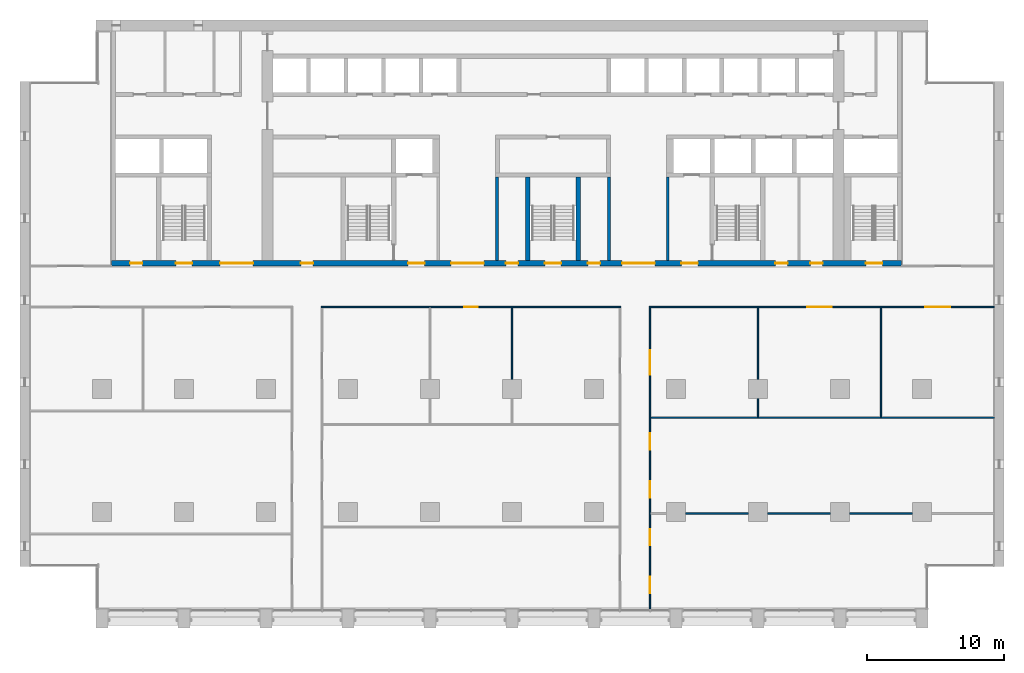
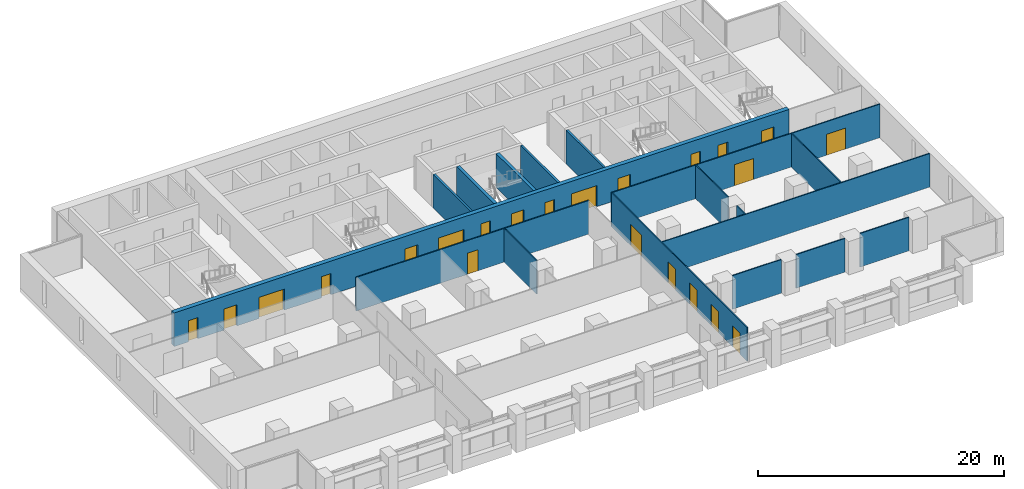
# One storey, part 9 of 17: 22 doors, 17 walls, 22 openings.
"""IFC4 building model written with IfcOpenShell, lengths in metres."""

from ifc_helpers import new_model, si_unit, direction, frame, frame_2d, origin, place, context, subcontext, project, spatial, rectangle, extrude, material, layer, layer_set, type_object, element, fill, save


model = new_model("IFC4")

# Units and contexts
model_context = context("Model", 3, precision=1e-05, world=origin(), true_north=direction((0.0, 1.0)))
body_context = subcontext(model_context, "Body", "Model", "MODEL_VIEW")
ifc_project = project(units=[si_unit("LENGTHUNIT", "METRE"), si_unit("AREAUNIT", "SQUARE_METRE"), si_unit("VOLUMEUNIT", "CUBIC_METRE"), si_unit("PLANEANGLEUNIT", "RADIAN"), si_unit("MASSUNIT", "GRAM", prefix="KILO")], contexts=[model_context])

# Site, building, storey
site_placement = place(None, origin())
site = spatial("IfcSite", under=ifc_project, at=site_placement, CompositionType="ELEMENT")
building_placement = place(site_placement, origin())
building = spatial("IfcBuilding", under=site, at=building_placement, Name="Calvaro Tower", CompositionType="ELEMENT")
storey_placement = place(building_placement, frame((0.0, 0.0, 102.5)))
storey = spatial("IfcBuildingStorey", under=building, at=storey_placement, Name="L25", CompositionType="ELEMENT", Elevation=102.5)

# Walls
ifc_material_1 = material(Name="Blockwork partition", Category="masonry")
ifc_layer_1 = layer(ifc_material_1, 0.199951171875)
ifc_layer_set_1 = layer_set([ifc_layer_1], Name="Blockwork partition")
wall_type_1 = type_object("IfcWallType", Name="Core partition 200 REI 120", PredefinedType="PARTITIONING", material=ifc_layer_set_1)
for number, where, z_axis, x_axis, name in (
    (1, (34.89990234375, 28.39990234375, 0.0), (0.0, 0.0, 1.0), (0.0, 1.0, 0.0), "Core partition"),
    (2, (43.10009765625, 28.39990234375, 0.0), (0.0, 0.0, 1.0), (0.0, 1.0, 0.0), "Core partition"),
    (3, (47.39990234375, 28.39990234375, 0.0), (0.0, 0.0, 1.0), (0.0, 1.0, 0.0), "Core partition"),
):
    element("IfcWall", number, at=place(storey_placement, frame(where, z_axis=z_axis, x_axis=x_axis)), inside=storey, type_object=wall_type_1, Name=name, PredefinedType="PARTITIONING", context=body_context, shape_type="SweptSolid", body=[
        extrude(rectangle(XDim=6.10009765625, YDim=0.199951171875, at=frame_2d((3.050048828125, 0.0))), origin(), (0.0, 0.0, 1.0), 3.35009765625),
    ])
ifc_material_2 = material(Name="Concrete C60/75", Category="concrete")
ifc_layer_2 = layer(ifc_material_2, 0.300048828125)
ifc_layer_set_2 = layer_set([ifc_layer_2], Name="Concrete C60/75")
wall_type_2 = type_object("IfcWallType", Name="Core wall C60/75 300", PredefinedType="SHEAR", material=ifc_layer_set_2)
for number, where, z_axis, x_axis, name in (
    (4, (37.14990234375, 28.39990234375, 0.0), (0.0, 0.0, 1.0), (0.0, 1.0, 0.0), "Core wall, stair enclosure"),
    (5, (40.85009765625, 28.39990234375, 0.0), (0.0, 0.0, 1.0), (0.0, 1.0, 0.0), "Core wall, stair enclosure"),
):
    element("IfcWall", number, at=place(storey_placement, frame(where, z_axis=z_axis, x_axis=x_axis)), inside=storey, type_object=wall_type_2, Name=name, PredefinedType="SHEAR", context=body_context, shape_type="SweptSolid", body=[
        extrude(rectangle(XDim=6.10009765625, YDim=0.300048828125, at=frame_2d((3.050048828125, 0.0))), origin(), (0.0, 0.0, 1.0), 3.35009765625),
    ])

# Wall, openings, doors
ifc_material_3 = material(Name="Concrete C60/75", Category="concrete")
ifc_layer_3 = layer(ifc_material_3, 0.39990234375)
ifc_layer_set_3 = layer_set([ifc_layer_3], Name="Concrete C60/75")
wall_type_3 = type_object("IfcWallType", Name="Core wall C60/75 400", PredefinedType="SHEAR", material=ifc_layer_set_3)
wall_1_placement = place(storey_placement, frame((6.699951171875, 28.199951171875, 0.0), z_axis=(0.0, 0.0, 1.0), x_axis=(1.0, 0.0, 0.0)))
wall_1 = element("IfcWall", 6, at=wall_1_placement, inside=storey, type_object=wall_type_3, Name="Core wall, front", PredefinedType="SHEAR", context=body_context, shape_type="SweptSolid", body=[
    extrude(rectangle(XDim=57.800048828125, YDim=0.39990234375, at=frame_2d((28.89990234375, 0.0))), origin(), (0.0, 0.0, 1.0), 3.35009765625),
])
opening_1_placement = place(wall_1_placement, frame((13.85009765625, 0.0, 0.0)))
opening_1 = element("IfcOpeningElement", 7, at=opening_1_placement, cuts=wall_1, Name="Opening RD9E", PredefinedType="OPENING", context=body_context, shape_type="SweptSolid", body=[
    extrude(rectangle(XDim=0.89990234375, YDim=2.10009765625, at=frame_2d((0.449951171875, 1.050048828125))), frame((0.0, 0.2099609375, 0.0), z_axis=(0.0, -1.0, 0.0), x_axis=(1.0, 0.0, 0.0)), (0.0, 0.0, 1.0), 0.419921875),
])
opening_2_placement = place(wall_1_placement, frame((48.5625, 0.0, 0.0)))
opening_2 = element("IfcOpeningElement", 8, at=opening_2_placement, cuts=wall_1, Name="Opening RD9C", PredefinedType="OPENING", context=body_context, shape_type="SweptSolid", body=[
    extrude(rectangle(XDim=0.89990234375, YDim=2.10009765625, at=frame_2d((0.449951171875, 1.050048828125))), frame((0.0, 0.2099609375, 0.0), z_axis=(0.0, -1.0, 0.0), x_axis=(1.0, 0.0, 0.0)), (0.0, 0.0, 1.0), 0.419921875),
])
opening_3_placement = place(wall_1_placement, frame((51.137451171875, 0.0, 0.0)))
opening_3 = element("IfcOpeningElement", 9, at=opening_3_placement, cuts=wall_1, Name="Opening RD9C", PredefinedType="OPENING", context=body_context, shape_type="SweptSolid", body=[
    extrude(rectangle(XDim=0.89990234375, YDim=2.10009765625, at=frame_2d((0.449951171875, 1.050048828125))), frame((0.0, 0.2099609375, 0.0), z_axis=(0.0, -1.0, 0.0), x_axis=(1.0, 0.0, 0.0)), (0.0, 0.0, 1.0), 0.419921875),
])
opening_4_placement = place(wall_1_placement, frame((1.35009765625, 0.0, 0.0)))
opening_4 = element("IfcOpeningElement", 10, at=opening_4_placement, cuts=wall_1, Name="Opening RD9C", PredefinedType="OPENING", context=body_context, shape_type="SweptSolid", body=[
    extrude(rectangle(XDim=0.89990234375, YDim=2.10009765625, at=frame_2d((0.449951171875, 1.050048828125))), frame((0.0, 0.2099609375, 0.0), z_axis=(0.0, -1.0, 0.0), x_axis=(1.0, 0.0, 0.0)), (0.0, 0.0, 1.0), 0.419921875),
])
opening_5_placement = place(wall_1_placement, frame((4.699951171875, 0.0, 0.0)))
opening_5 = element("IfcOpeningElement", 11, at=opening_5_placement, cuts=wall_1, Name="Opening SD12D", PredefinedType="OPENING", context=body_context, shape_type="SweptSolid", body=[
    extrude(rectangle(XDim=1.199951171875, YDim=2.10009765625, at=frame_2d((0.60009765625, 1.050048828125))), frame((0.0, 0.2099609375, 0.0), z_axis=(0.0, -1.0, 0.0), x_axis=(1.0, 0.0, 0.0)), (0.0, 0.0, 1.0), 0.419921875),
])
opening_6_placement = place(wall_1_placement, frame((31.699951171875, 0.0, 0.0)))
opening_6 = element("IfcOpeningElement", 12, at=opening_6_placement, cuts=wall_1, Name="Opening SD12D", PredefinedType="OPENING", context=body_context, shape_type="SweptSolid", body=[
    extrude(rectangle(XDim=1.199951171875, YDim=2.10009765625, at=frame_2d((0.60009765625, 1.050048828125))), frame((0.0, 0.2099609375, 0.0), z_axis=(0.0, -1.0, 0.0), x_axis=(1.0, 0.0, 0.0)), (0.0, 0.0, 1.0), 0.419921875),
])
opening_7_placement = place(wall_1_placement, frame((55.199951171875, 0.0, 0.0)))
opening_7 = element("IfcOpeningElement", 13, at=opening_7_placement, cuts=wall_1, Name="Opening SD12D", PredefinedType="OPENING", context=body_context, shape_type="SweptSolid", body=[
    extrude(rectangle(XDim=1.199951171875, YDim=2.10009765625, at=frame_2d((0.60009765625, 1.050048828125))), frame((0.0, 0.2099609375, 0.0), z_axis=(0.0, -1.0, 0.0), x_axis=(1.0, 0.0, 0.0)), (0.0, 0.0, 1.0), 0.419921875),
])
opening_8_placement = place(wall_1_placement, frame((21.699951171875, 0.0, 0.0)))
opening_8 = element("IfcOpeningElement", 14, at=opening_8_placement, cuts=wall_1, Name="Opening FD12F", PredefinedType="OPENING", context=body_context, shape_type="SweptSolid", body=[
    extrude(rectangle(XDim=1.199951171875, YDim=2.10009765625, at=frame_2d((0.60009765625, 1.050048828125))), frame((0.0, 0.2099609375, 0.0), z_axis=(0.0, -1.0, 0.0), x_axis=(1.0, 0.0, 0.0)), (0.0, 0.0, 1.0), 0.419921875),
])
opening_9_placement = place(wall_1_placement, frame((41.699951171875, 0.0, 0.0)))
opening_9 = element("IfcOpeningElement", 15, at=opening_9_placement, cuts=wall_1, Name="Opening FD12F", PredefinedType="OPENING", context=body_context, shape_type="SweptSolid", body=[
    extrude(rectangle(XDim=1.199951171875, YDim=2.10009765625, at=frame_2d((0.60009765625, 1.050048828125))), frame((0.0, 0.2099609375, 0.0), z_axis=(0.0, -1.0, 0.0), x_axis=(1.0, 0.0, 0.0)), (0.0, 0.0, 1.0), 0.419921875),
])
opening_10_placement = place(wall_1_placement, frame((24.85009765625, 0.0, 0.0)))
opening_10 = element("IfcOpeningElement", 16, at=opening_10_placement, cuts=wall_1, Name="Opening DD24D", PredefinedType="OPENING", context=body_context, shape_type="SweptSolid", body=[
    extrude(rectangle(XDim=2.39990234375, YDim=2.10009765625, at=frame_2d((1.199951171875, 1.050048828125))), frame((0.0, 0.2099609375, 0.0), z_axis=(0.0, -1.0, 0.0), x_axis=(1.0, 0.0, 0.0)), (0.0, 0.0, 1.0), 0.419921875),
])
opening_11_placement = place(wall_1_placement, frame((37.35009765625, 0.0, 0.0)))
opening_11 = element("IfcOpeningElement", 17, at=opening_11_placement, cuts=wall_1, Name="Opening DD24D", PredefinedType="OPENING", context=body_context, shape_type="SweptSolid", body=[
    extrude(rectangle(XDim=2.39990234375, YDim=2.10009765625, at=frame_2d((1.199951171875, 1.050048828125))), frame((0.0, 0.2099609375, 0.0), z_axis=(0.0, -1.0, 0.0), x_axis=(1.0, 0.0, 0.0)), (0.0, 0.0, 1.0), 0.419921875),
])
opening_12_placement = place(wall_1_placement, frame((7.949951171875, 0.0, 0.0)))
opening_12 = element("IfcOpeningElement", 18, at=opening_12_placement, cuts=wall_1, Name="Opening DD24D", PredefinedType="OPENING", context=body_context, shape_type="SweptSolid", body=[
    extrude(rectangle(XDim=2.39990234375, YDim=2.10009765625, at=frame_2d((1.199951171875, 1.050048828125))), frame((0.0, 0.2099609375, 0.0), z_axis=(0.0, -1.0, 0.0), x_axis=(1.0, 0.0, 0.0)), (0.0, 0.0, 1.0), 0.419921875),
])
opening_13_placement = place(wall_1_placement, frame((28.85009765625, 0.0, 0.0)))
opening_13 = element("IfcOpeningElement", 19, at=opening_13_placement, cuts=wall_1, Name="Opening RD9E", PredefinedType="OPENING", context=body_context, shape_type="SweptSolid", body=[
    extrude(rectangle(XDim=0.89990234375, YDim=2.10009765625, at=frame_2d((0.449951171875, 1.050048828125))), frame((0.0, 0.2099609375, 0.0), z_axis=(0.0, -1.0, 0.0), x_axis=(1.0, 0.0, 0.0)), (0.0, 0.0, 1.0), 0.419921875),
])
opening_14_placement = place(wall_1_placement, frame((34.85009765625, 0.0, 0.0)))
opening_14 = element("IfcOpeningElement", 20, at=opening_14_placement, cuts=wall_1, Name="Opening RD9E", PredefinedType="OPENING", context=body_context, shape_type="SweptSolid", body=[
    extrude(rectangle(XDim=0.89990234375, YDim=2.10009765625, at=frame_2d((0.449951171875, 1.050048828125))), frame((0.0, 0.2099609375, 0.0), z_axis=(0.0, -1.0, 0.0), x_axis=(1.0, 0.0, 0.0)), (0.0, 0.0, 1.0), 0.419921875),
])
ifc_material_4 = material(Name="Steel door set", Category="steel")
door_type_1 = type_object("IfcDoorType", Name="Fire door 1200 FD60S", OperationType="SINGLE_SWING_LEFT", PredefinedType="DOOR", material=ifc_material_4)
door_1_placement = place(opening_8_placement, origin())
door_1 = element("IfcDoor", 21, at=door_1_placement, inside=storey, type_object=door_type_1, Name="Fire door", OperationType="SINGLE_SWING_LEFT", OverallHeight=2.10009765625, OverallWidth=1.199951171875, PredefinedType="DOOR", context=body_context, shape_type="SweptSolid", body=[
    extrude(rectangle(XDim=1.199951171875, YDim=2.10009765625, at=frame_2d((0.60009765625, 1.050048828125))), frame((0.0, 0.02490234375, 0.0), z_axis=(0.0, -1.0, 0.0), x_axis=(1.0, 0.0, 0.0)), (0.0, 0.0, 1.0), 0.050048828125),
])
fill(opening_8, door_1)
door_2_placement = place(opening_9_placement, origin())
door_2 = element("IfcDoor", 22, at=door_2_placement, inside=storey, type_object=door_type_1, Name="Fire door", OperationType="SINGLE_SWING_LEFT", OverallHeight=2.10009765625, OverallWidth=1.199951171875, PredefinedType="DOOR", context=body_context, shape_type="SweptSolid", body=[
    extrude(rectangle(XDim=1.199951171875, YDim=2.10009765625, at=frame_2d((0.60009765625, 1.050048828125))), frame((0.0, 0.02490234375, 0.0), z_axis=(0.0, -1.0, 0.0), x_axis=(1.0, 0.0, 0.0)), (0.0, 0.0, 1.0), 0.050048828125),
])
fill(opening_9, door_2)
ifc_material_5 = material(Name="Steel door set", Category="steel")
door_type_2 = type_object("IfcDoorType", Name="Lobby double door 2400 FD30S", OperationType="DOUBLE_DOOR_SINGLE_SWING", PredefinedType="DOOR", material=ifc_material_5)
door_3_placement = place(opening_10_placement, origin())
door_3 = element("IfcDoor", 23, at=door_3_placement, inside=storey, type_object=door_type_2, Name="Lobby double door", OperationType="DOUBLE_DOOR_SINGLE_SWING", OverallHeight=2.10009765625, OverallWidth=2.39990234375, PredefinedType="DOOR", context=body_context, shape_type="SweptSolid", body=[
    extrude(rectangle(XDim=2.39990234375, YDim=2.10009765625, at=frame_2d((1.199951171875, 1.050048828125))), frame((0.0, 0.02490234375, 0.0), z_axis=(0.0, -1.0, 0.0), x_axis=(1.0, 0.0, 0.0)), (0.0, 0.0, 1.0), 0.050048828125),
])
fill(opening_10, door_3)
door_4_placement = place(opening_11_placement, origin())
door_4 = element("IfcDoor", 24, at=door_4_placement, inside=storey, type_object=door_type_2, Name="Lobby double door", OperationType="DOUBLE_DOOR_SINGLE_SWING", OverallHeight=2.10009765625, OverallWidth=2.39990234375, PredefinedType="DOOR", context=body_context, shape_type="SweptSolid", body=[
    extrude(rectangle(XDim=2.39990234375, YDim=2.10009765625, at=frame_2d((1.199951171875, 1.050048828125))), frame((0.0, 0.02490234375, 0.0), z_axis=(0.0, -1.0, 0.0), x_axis=(1.0, 0.0, 0.0)), (0.0, 0.0, 1.0), 0.050048828125),
])
fill(opening_11, door_4)
door_5_placement = place(opening_12_placement, origin())
door_5 = element("IfcDoor", 25, at=door_5_placement, inside=storey, type_object=door_type_2, Name="Lobby double door", OperationType="DOUBLE_DOOR_SINGLE_SWING", OverallHeight=2.10009765625, OverallWidth=2.39990234375, PredefinedType="DOOR", context=body_context, shape_type="SweptSolid", body=[
    extrude(rectangle(XDim=2.39990234375, YDim=2.10009765625, at=frame_2d((1.199951171875, 1.050048828125))), frame((0.0, 0.02490234375, 0.0), z_axis=(0.0, -1.0, 0.0), x_axis=(1.0, 0.0, 0.0)), (0.0, 0.0, 1.0), 0.050048828125),
])
fill(opening_12, door_5)
ifc_material_6 = material(Name="Steel door set", Category="steel")
door_type_3 = type_object("IfcDoorType", Name="Room door 900 FD30", OperationType="SINGLE_SWING_LEFT", PredefinedType="DOOR", material=ifc_material_6)
door_6_placement = place(opening_2_placement, origin())
door_6 = element("IfcDoor", 26, at=door_6_placement, inside=storey, type_object=door_type_3, Name="Room door", OperationType="SINGLE_SWING_LEFT", OverallHeight=2.10009765625, OverallWidth=0.89990234375, PredefinedType="DOOR", context=body_context, shape_type="SweptSolid", body=[
    extrude(rectangle(XDim=0.89990234375, YDim=2.10009765625, at=frame_2d((0.449951171875, 1.050048828125))), frame((0.0, 0.02490234375, 0.0), z_axis=(0.0, -1.0, 0.0), x_axis=(1.0, 0.0, 0.0)), (0.0, 0.0, 1.0), 0.050048828125),
])
fill(opening_2, door_6)
door_7_placement = place(opening_3_placement, origin())
door_7 = element("IfcDoor", 27, at=door_7_placement, inside=storey, type_object=door_type_3, Name="Room door", OperationType="SINGLE_SWING_LEFT", OverallHeight=2.10009765625, OverallWidth=0.89990234375, PredefinedType="DOOR", context=body_context, shape_type="SweptSolid", body=[
    extrude(rectangle(XDim=0.89990234375, YDim=2.10009765625, at=frame_2d((0.449951171875, 1.050048828125))), frame((0.0, 0.02490234375, 0.0), z_axis=(0.0, -1.0, 0.0), x_axis=(1.0, 0.0, 0.0)), (0.0, 0.0, 1.0), 0.050048828125),
])
fill(opening_3, door_7)
door_8_placement = place(opening_4_placement, origin())
door_8 = element("IfcDoor", 28, at=door_8_placement, inside=storey, type_object=door_type_3, Name="Room door", OperationType="SINGLE_SWING_LEFT", OverallHeight=2.10009765625, OverallWidth=0.89990234375, PredefinedType="DOOR", context=body_context, shape_type="SweptSolid", body=[
    extrude(rectangle(XDim=0.89990234375, YDim=2.10009765625, at=frame_2d((0.449951171875, 1.050048828125))), frame((0.0, 0.02490234375, 0.0), z_axis=(0.0, -1.0, 0.0), x_axis=(1.0, 0.0, 0.0)), (0.0, 0.0, 1.0), 0.050048828125),
])
fill(opening_4, door_8)
ifc_material_7 = material(Name="Steel door set", Category="steel")
door_type_4 = type_object("IfcDoorType", Name="Room door 900 FD60", OperationType="SINGLE_SWING_LEFT", PredefinedType="DOOR", material=ifc_material_7)
door_9_placement = place(opening_1_placement, origin())
door_9 = element("IfcDoor", 29, at=door_9_placement, inside=storey, type_object=door_type_4, Name="Room door", OperationType="SINGLE_SWING_LEFT", OverallHeight=2.10009765625, OverallWidth=0.89990234375, PredefinedType="DOOR", context=body_context, shape_type="SweptSolid", body=[
    extrude(rectangle(XDim=0.89990234375, YDim=2.10009765625, at=frame_2d((0.449951171875, 1.050048828125))), frame((0.0, 0.02490234375, 0.0), z_axis=(0.0, -1.0, 0.0), x_axis=(1.0, 0.0, 0.0)), (0.0, 0.0, 1.0), 0.050048828125),
])
fill(opening_1, door_9)
door_10_placement = place(opening_13_placement, origin())
door_10 = element("IfcDoor", 30, at=door_10_placement, inside=storey, type_object=door_type_4, Name="Room door", OperationType="SINGLE_SWING_LEFT", OverallHeight=2.10009765625, OverallWidth=0.89990234375, PredefinedType="DOOR", context=body_context, shape_type="SweptSolid", body=[
    extrude(rectangle(XDim=0.89990234375, YDim=2.10009765625, at=frame_2d((0.449951171875, 1.050048828125))), frame((0.0, 0.02490234375, 0.0), z_axis=(0.0, -1.0, 0.0), x_axis=(1.0, 0.0, 0.0)), (0.0, 0.0, 1.0), 0.050048828125),
])
fill(opening_13, door_10)
door_11_placement = place(opening_14_placement, origin())
door_11 = element("IfcDoor", 31, at=door_11_placement, inside=storey, type_object=door_type_4, Name="Room door", OperationType="SINGLE_SWING_LEFT", OverallHeight=2.10009765625, OverallWidth=0.89990234375, PredefinedType="DOOR", context=body_context, shape_type="SweptSolid", body=[
    extrude(rectangle(XDim=0.89990234375, YDim=2.10009765625, at=frame_2d((0.449951171875, 1.050048828125))), frame((0.0, 0.02490234375, 0.0), z_axis=(0.0, -1.0, 0.0), x_axis=(1.0, 0.0, 0.0)), (0.0, 0.0, 1.0), 0.050048828125),
])
fill(opening_14, door_11)
ifc_material_8 = material(Name="Steel door set", Category="steel")
door_type_5 = type_object("IfcDoorType", Name="Stair door 1200 FD30S", OperationType="SINGLE_SWING_LEFT", PredefinedType="DOOR", material=ifc_material_8)
door_12_placement = place(opening_5_placement, origin())
door_12 = element("IfcDoor", 32, at=door_12_placement, inside=storey, type_object=door_type_5, Name="Stair door", OperationType="SINGLE_SWING_LEFT", OverallHeight=2.10009765625, OverallWidth=1.199951171875, PredefinedType="DOOR", context=body_context, shape_type="SweptSolid", body=[
    extrude(rectangle(XDim=1.199951171875, YDim=2.10009765625, at=frame_2d((0.60009765625, 1.050048828125))), frame((0.0, 0.02490234375, 0.0), z_axis=(0.0, -1.0, 0.0), x_axis=(1.0, 0.0, 0.0)), (0.0, 0.0, 1.0), 0.050048828125),
])
fill(opening_5, door_12)
door_13_placement = place(opening_6_placement, origin())
door_13 = element("IfcDoor", 33, at=door_13_placement, inside=storey, type_object=door_type_5, Name="Stair door", OperationType="SINGLE_SWING_LEFT", OverallHeight=2.10009765625, OverallWidth=1.199951171875, PredefinedType="DOOR", context=body_context, shape_type="SweptSolid", body=[
    extrude(rectangle(XDim=1.199951171875, YDim=2.10009765625, at=frame_2d((0.60009765625, 1.050048828125))), frame((0.0, 0.02490234375, 0.0), z_axis=(0.0, -1.0, 0.0), x_axis=(1.0, 0.0, 0.0)), (0.0, 0.0, 1.0), 0.050048828125),
])
fill(opening_6, door_13)
door_14_placement = place(opening_7_placement, origin())
door_14 = element("IfcDoor", 34, at=door_14_placement, inside=storey, type_object=door_type_5, Name="Stair door", OperationType="SINGLE_SWING_LEFT", OverallHeight=2.10009765625, OverallWidth=1.199951171875, PredefinedType="DOOR", context=body_context, shape_type="SweptSolid", body=[
    extrude(rectangle(XDim=1.199951171875, YDim=2.10009765625, at=frame_2d((0.60009765625, 1.050048828125))), frame((0.0, 0.02490234375, 0.0), z_axis=(0.0, -1.0, 0.0), x_axis=(1.0, 0.0, 0.0)), (0.0, 0.0, 1.0), 0.050048828125),
])
fill(opening_7, door_14)

# Walls
ifc_material_9 = material(Name="Plasterboard on steel studs", Category="steel")
ifc_layer_4 = layer(ifc_material_9, 0.10009765625)
ifc_layer_set_4 = layer_set([ifc_layer_4], Name="Plasterboard on steel studs")
wall_type_4 = type_object("IfcWallType", Name="Partition 100", PredefinedType="PARTITIONING", material=ifc_layer_set_4)
for number, where, z_axis, x_axis, name in (
    (35, (60.699951171875, 9.89990234375, 0.0), (0.0, 0.0, 1.0), (1.0, 0.0, 0.0), "Partition T16.W004"),
    (36, (54.699951171875, 9.89990234375, 0.0), (0.0, 0.0, 1.0), (1.0, 0.0, 0.0), "Partition T16.W005"),
    (37, (48.699951171875, 9.89990234375, 0.0), (0.0, 0.0, 1.0), (1.0, 0.0, 0.0), "Partition T16.W006"),
):
    element("IfcWall", number, at=place(storey_placement, frame(where, z_axis=z_axis, x_axis=x_axis)), inside=storey, type_object=wall_type_4, Name=name, PredefinedType="PARTITIONING", context=body_context, shape_type="SweptSolid", body=[
        extrude(rectangle(XDim=4.60009765625, YDim=0.10009765625, at=frame_2d((2.300048828125, 0.0))), origin(), (0.0, 0.0, 1.0), 3.35009765625),
    ])
wall_2_placement = place(storey_placement, frame((46.14990234375, 16.89990234375, 0.0), z_axis=(0.0, 0.0, 1.0), x_axis=(1.0, 0.0, 0.0)))
element("IfcWall", 38, at=wall_2_placement, inside=storey, type_object=wall_type_4, Name="Partition T16.W009", PredefinedType="PARTITIONING", context=body_context, shape_type="SweptSolid", body=[
    extrude(rectangle(XDim=25.150146484375, YDim=0.10009765625, at=frame_2d((12.5751953125, 0.0))), origin(), (0.0, 0.0, 1.0), 3.35009765625),
])

# Wall, opening, door
wall_3_placement = place(storey_placement, frame((22.050048828125, 25.0, 0.0), z_axis=(0.0, 0.0, 1.0), x_axis=(1.0, 0.0, 0.0)))
wall_3 = element("IfcWall", 39, at=wall_3_placement, inside=storey, type_object=wall_type_4, Name="Partition T16.W012", PredefinedType="PARTITIONING", context=body_context, shape_type="SweptSolid", body=[
    extrude(rectangle(XDim=21.89990234375, YDim=0.10009765625, at=frame_2d((10.949951171875, 0.0))), origin(), (0.0, 0.0, 1.0), 3.35009765625),
])
opening_15_placement = place(wall_3_placement, frame((10.449951171875, 0.0, 0.0)))
opening_15 = element("IfcOpeningElement", 40, at=opening_15_placement, cuts=wall_3, Name="Opening T16.012", PredefinedType="OPENING", context=body_context, shape_type="SweptSolid", body=[
    extrude(rectangle(XDim=1.0, YDim=2.10009765625, at=frame_2d((0.5, 1.050048828125))), frame((0.0, 0.06005859375, 0.0), z_axis=(0.0, -1.0, 0.0), x_axis=(1.0, 0.0, 0.0)), (0.0, 0.0, 1.0), 0.1201171875),
])
ifc_material_10 = material(Name="Timber", Category="wood")
door_type_6 = type_object("IfcDoorType", Name="Internal single door 1000 x 2100", OperationType="SINGLE_SWING_LEFT", PredefinedType="DOOR", material=ifc_material_10)
door_15_placement = place(opening_15_placement, origin())
door_15 = element("IfcDoor", 41, at=door_15_placement, inside=storey, type_object=door_type_6, Name="Door T16.012", OperationType="SINGLE_SWING_LEFT", OverallHeight=2.10009765625, OverallWidth=1.0, PredefinedType="DOOR", context=body_context, shape_type="SweptSolid", body=[
    extrude(rectangle(XDim=1.0, YDim=2.10009765625, at=frame_2d((0.5, 1.050048828125))), frame((0.0, 0.02490234375, 0.0), z_axis=(0.0, -1.0, 0.0), x_axis=(1.0, 0.0, 0.0)), (0.0, 0.0, 1.0), 0.050048828125),
])
fill(opening_15, door_15)

# Wall, openings, doors
wall_4_placement = place(storey_placement, frame((46.050048828125, 25.0, 0.0), z_axis=(0.0, 0.0, 1.0), x_axis=(1.0, 0.0, 0.0)))
wall_4 = element("IfcWall", 42, at=wall_4_placement, inside=storey, type_object=wall_type_4, Name="Partition T16.W013", PredefinedType="PARTITIONING", context=body_context, shape_type="SweptSolid", body=[
    extrude(rectangle(XDim=25.25, YDim=0.10009765625, at=frame_2d((12.625, 0.0))), origin(), (0.0, 0.0, 1.0), 3.35009765625),
])
opening_16_placement = place(wall_4_placement, frame((11.550048828125, 0.0, 0.0)))
opening_16 = element("IfcOpeningElement", 43, at=opening_16_placement, cuts=wall_4, Name="Opening T16.015", PredefinedType="OPENING", context=body_context, shape_type="SweptSolid", body=[
    extrude(rectangle(XDim=1.800048828125, YDim=2.10009765625, at=frame_2d((0.89990234375, 1.050048828125))), frame((0.0, 0.06005859375, 0.0), z_axis=(0.0, -1.0, 0.0), x_axis=(1.0, 0.0, 0.0)), (0.0, 0.0, 1.0), 0.1201171875),
])
opening_17_placement = place(wall_4_placement, frame((20.199951171875, 0.0, 0.0)))
opening_17 = element("IfcOpeningElement", 44, at=opening_17_placement, cuts=wall_4, Name="Opening T16.016", PredefinedType="OPENING", context=body_context, shape_type="SweptSolid", body=[
    extrude(rectangle(XDim=1.800048828125, YDim=2.10009765625, at=frame_2d((0.89990234375, 1.050048828125))), frame((0.0, 0.06005859375, 0.0), z_axis=(0.0, -1.0, 0.0), x_axis=(1.0, 0.0, 0.0)), (0.0, 0.0, 1.0), 0.1201171875),
])
ifc_material_11 = material(Name="Timber", Category="wood")
door_type_7 = type_object("IfcDoorType", Name="Internal double door 1800 x 2100", OperationType="DOUBLE_DOOR_SINGLE_SWING", PredefinedType="DOOR", material=ifc_material_11)
door_16_placement = place(opening_16_placement, origin())
door_16 = element("IfcDoor", 45, at=door_16_placement, inside=storey, type_object=door_type_7, Name="Door T16.015", OperationType="DOUBLE_DOOR_SINGLE_SWING", OverallHeight=2.10009765625, OverallWidth=1.800048828125, PredefinedType="DOOR", context=body_context, shape_type="SweptSolid", body=[
    extrude(rectangle(XDim=1.800048828125, YDim=2.10009765625, at=frame_2d((0.89990234375, 1.050048828125))), frame((0.0, 0.02490234375, 0.0), z_axis=(0.0, -1.0, 0.0), x_axis=(1.0, 0.0, 0.0)), (0.0, 0.0, 1.0), 0.050048828125),
])
fill(opening_16, door_16)
door_17_placement = place(opening_17_placement, origin())
door_17 = element("IfcDoor", 46, at=door_17_placement, inside=storey, type_object=door_type_7, Name="Door T16.016", OperationType="DOUBLE_DOOR_SINGLE_SWING", OverallHeight=2.10009765625, OverallWidth=1.800048828125, PredefinedType="DOOR", context=body_context, shape_type="SweptSolid", body=[
    extrude(rectangle(XDim=1.800048828125, YDim=2.10009765625, at=frame_2d((0.89990234375, 1.050048828125))), frame((0.0, 0.02490234375, 0.0), z_axis=(0.0, -1.0, 0.0), x_axis=(1.0, 0.0, 0.0)), (0.0, 0.0, 1.0), 0.050048828125),
])
fill(opening_17, door_17)

wall_5_placement = place(storey_placement, frame((46.10009765625, 2.89990234375, 0.0), z_axis=(0.0, 0.0, 1.0), x_axis=(0.0, 1.0, 0.0)))
wall_5 = element("IfcWall", 47, at=wall_5_placement, inside=storey, type_object=wall_type_4, Name="Partition T16.W024", PredefinedType="PARTITIONING", context=body_context, shape_type="SweptSolid", body=[
    extrude(rectangle(XDim=22.050048828125, YDim=0.10009765625, at=frame_2d((11.02490234375, 0.0))), origin(), (0.0, 0.0, 1.0), 3.35009765625),
])
opening_18_placement = place(wall_5_placement, frame((1.14990234375, 0.0, 0.0)))
opening_18 = element("IfcOpeningElement", 48, at=opening_18_placement, cuts=wall_5, Name="Opening T16.003", PredefinedType="OPENING", context=body_context, shape_type="SweptSolid", body=[
    extrude(rectangle(XDim=1.199951171875, YDim=2.10009765625, at=frame_2d((0.60009765625, 1.050048828125))), frame((0.0, 0.06005859375, 0.0), z_axis=(0.0, -1.0, 0.0), x_axis=(1.0, 0.0, 0.0)), (0.0, 0.0, 1.0), 0.1201171875),
])
opening_19_placement = place(wall_5_placement, frame((4.64990234375, 0.0, 0.0)))
opening_19 = element("IfcOpeningElement", 49, at=opening_19_placement, cuts=wall_5, Name="Opening T16.004", PredefinedType="OPENING", context=body_context, shape_type="SweptSolid", body=[
    extrude(rectangle(XDim=1.199951171875, YDim=2.10009765625, at=frame_2d((0.60009765625, 1.050048828125))), frame((0.0, 0.06005859375, 0.0), z_axis=(0.0, -1.0, 0.0), x_axis=(1.0, 0.0, 0.0)), (0.0, 0.0, 1.0), 0.1201171875),
])
opening_20_placement = place(wall_5_placement, frame((8.14990234375, 0.0, 0.0)))
opening_20 = element("IfcOpeningElement", 50, at=opening_20_placement, cuts=wall_5, Name="Opening T16.009", PredefinedType="OPENING", context=body_context, shape_type="SweptSolid", body=[
    extrude(rectangle(XDim=1.199951171875, YDim=2.10009765625, at=frame_2d((0.60009765625, 1.050048828125))), frame((0.0, 0.06005859375, 0.0), z_axis=(0.0, -1.0, 0.0), x_axis=(1.0, 0.0, 0.0)), (0.0, 0.0, 1.0), 0.1201171875),
])
opening_21_placement = place(wall_5_placement, frame((11.64990234375, 0.0, 0.0)))
opening_21 = element("IfcOpeningElement", 51, at=opening_21_placement, cuts=wall_5, Name="Opening T16.010", PredefinedType="OPENING", context=body_context, shape_type="SweptSolid", body=[
    extrude(rectangle(XDim=1.199951171875, YDim=2.10009765625, at=frame_2d((0.60009765625, 1.050048828125))), frame((0.0, 0.06005859375, 0.0), z_axis=(0.0, -1.0, 0.0), x_axis=(1.0, 0.0, 0.0)), (0.0, 0.0, 1.0), 0.1201171875),
])
opening_22_placement = place(wall_5_placement, frame((17.14990234375, 0.0, 0.0)))
opening_22 = element("IfcOpeningElement", 52, at=opening_22_placement, cuts=wall_5, Name="Opening T16.014", PredefinedType="OPENING", context=body_context, shape_type="SweptSolid", body=[
    extrude(rectangle(XDim=1.800048828125, YDim=2.10009765625, at=frame_2d((0.89990234375, 1.050048828125))), frame((0.0, 0.06005859375, 0.0), z_axis=(0.0, -1.0, 0.0), x_axis=(1.0, 0.0, 0.0)), (0.0, 0.0, 1.0), 0.1201171875),
])
door_18_placement = place(opening_22_placement, origin())
door_18 = element("IfcDoor", 53, at=door_18_placement, inside=storey, type_object=door_type_7, Name="Door T16.014", OperationType="DOUBLE_DOOR_SINGLE_SWING", OverallHeight=2.10009765625, OverallWidth=1.800048828125, PredefinedType="DOOR", context=body_context, shape_type="SweptSolid", body=[
    extrude(rectangle(XDim=1.800048828125, YDim=2.10009765625, at=frame_2d((0.89990234375, 1.050048828125))), frame((0.0, 0.02490234375, 0.0), z_axis=(0.0, -1.0, 0.0), x_axis=(1.0, 0.0, 0.0)), (0.0, 0.0, 1.0), 0.050048828125),
])
fill(opening_22, door_18)
ifc_material_12 = material(Name="Timber", Category="wood")
door_type_8 = type_object("IfcDoorType", Name="Internal single door 1200 x 2100", OperationType="SINGLE_SWING_LEFT", PredefinedType="DOOR", material=ifc_material_12)
door_19_placement = place(opening_18_placement, origin())
door_19 = element("IfcDoor", 54, at=door_19_placement, inside=storey, type_object=door_type_8, Name="Door T16.003", OperationType="SINGLE_SWING_LEFT", OverallHeight=2.10009765625, OverallWidth=1.199951171875, PredefinedType="DOOR", context=body_context, shape_type="SweptSolid", body=[
    extrude(rectangle(XDim=1.199951171875, YDim=2.10009765625, at=frame_2d((0.60009765625, 1.050048828125))), frame((0.0, 0.02490234375, 0.0), z_axis=(0.0, -1.0, 0.0), x_axis=(1.0, 0.0, 0.0)), (0.0, 0.0, 1.0), 0.050048828125),
])
fill(opening_18, door_19)
door_20_placement = place(opening_19_placement, origin())
door_20 = element("IfcDoor", 55, at=door_20_placement, inside=storey, type_object=door_type_8, Name="Door T16.004", OperationType="SINGLE_SWING_LEFT", OverallHeight=2.10009765625, OverallWidth=1.199951171875, PredefinedType="DOOR", context=body_context, shape_type="SweptSolid", body=[
    extrude(rectangle(XDim=1.199951171875, YDim=2.10009765625, at=frame_2d((0.60009765625, 1.050048828125))), frame((0.0, 0.02490234375, 0.0), z_axis=(0.0, -1.0, 0.0), x_axis=(1.0, 0.0, 0.0)), (0.0, 0.0, 1.0), 0.050048828125),
])
fill(opening_19, door_20)
door_21_placement = place(opening_20_placement, origin())
door_21 = element("IfcDoor", 56, at=door_21_placement, inside=storey, type_object=door_type_8, Name="Door T16.009", OperationType="SINGLE_SWING_LEFT", OverallHeight=2.10009765625, OverallWidth=1.199951171875, PredefinedType="DOOR", context=body_context, shape_type="SweptSolid", body=[
    extrude(rectangle(XDim=1.199951171875, YDim=2.10009765625, at=frame_2d((0.60009765625, 1.050048828125))), frame((0.0, 0.02490234375, 0.0), z_axis=(0.0, -1.0, 0.0), x_axis=(1.0, 0.0, 0.0)), (0.0, 0.0, 1.0), 0.050048828125),
])
fill(opening_20, door_21)
door_22_placement = place(opening_21_placement, origin())
door_22 = element("IfcDoor", 57, at=door_22_placement, inside=storey, type_object=door_type_8, Name="Door T16.010", OperationType="SINGLE_SWING_RIGHT", OverallHeight=2.10009765625, OverallWidth=1.199951171875, PredefinedType="DOOR", context=body_context, shape_type="SweptSolid", body=[
    extrude(rectangle(XDim=1.199951171875, YDim=2.10009765625, at=frame_2d((0.60009765625, 1.050048828125))), frame((0.0, 0.02490234375, 0.0), z_axis=(0.0, -1.0, 0.0), x_axis=(1.0, 0.0, 0.0)), (0.0, 0.0, 1.0), 0.050048828125),
])
fill(opening_21, door_22)

# Walls
wall_6_placement = place(storey_placement, frame((54.0, 16.949951171875, 0.0), z_axis=(0.0, 0.0, 1.0), x_axis=(0.0, 1.0, 0.0)))
element("IfcWall", 58, at=wall_6_placement, inside=storey, type_object=wall_type_4, Name="Partition T16.W025", PredefinedType="PARTITIONING", context=body_context, shape_type="SweptSolid", body=[
    extrude(rectangle(XDim=1.35009765625, YDim=0.10009765625, at=frame_2d((0.675048828125, 0.0))), origin(), (0.0, 0.0, 1.0), 3.35009765625),
])
wall_7_placement = place(storey_placement, frame((54.0, 19.699951171875, 0.0), z_axis=(0.0, 0.0, 1.0), x_axis=(0.0, 1.0, 0.0)))
element("IfcWall", 59, at=wall_7_placement, inside=storey, type_object=wall_type_4, Name="Partition T16.W026", PredefinedType="PARTITIONING", context=body_context, shape_type="SweptSolid", body=[
    extrude(rectangle(XDim=5.25, YDim=0.10009765625, at=frame_2d((2.625, 0.0))), origin(), (0.0, 0.0, 1.0), 3.35009765625),
])
wall_8_placement = place(storey_placement, frame((63.0, 16.949951171875, 0.0), z_axis=(0.0, 0.0, 1.0), x_axis=(0.0, 1.0, 0.0)))
element("IfcWall", 60, at=wall_8_placement, inside=storey, type_object=wall_type_4, Name="Partition T16.W027", PredefinedType="PARTITIONING", context=body_context, shape_type="SweptSolid", body=[
    extrude(rectangle(XDim=8.0, YDim=0.10009765625, at=frame_2d((4.0, 0.0))), origin(), (0.0, 0.0, 1.0), 3.35009765625),
])
ifc_material_13 = material(Name="Plasterboard on steel studs", Category="steel")
ifc_layer_5 = layer(ifc_material_13, 0.10009765625)
ifc_layer_set_5 = layer_set([ifc_layer_5], Name="Plasterboard on steel studs")
wall_type_5 = type_object("IfcWallType", Name="Partition 100 REI 120", PredefinedType="PARTITIONING", material=ifc_layer_set_5)
wall_9_placement = place(storey_placement, frame((36.0, 19.699951171875, 0.0), z_axis=(0.0, 0.0, 1.0), x_axis=(0.0, 1.0, 0.0)))
element("IfcWall", 61, at=wall_9_placement, inside=storey, type_object=wall_type_5, Name="Partition T16.W022", PredefinedType="PARTITIONING", context=body_context, shape_type="SweptSolid", body=[
    extrude(rectangle(XDim=5.25, YDim=0.10009765625, at=frame_2d((2.625, 0.0))), origin(), (0.0, 0.0, 1.0), 3.35009765625),
])

save(model, "model.ifc")
